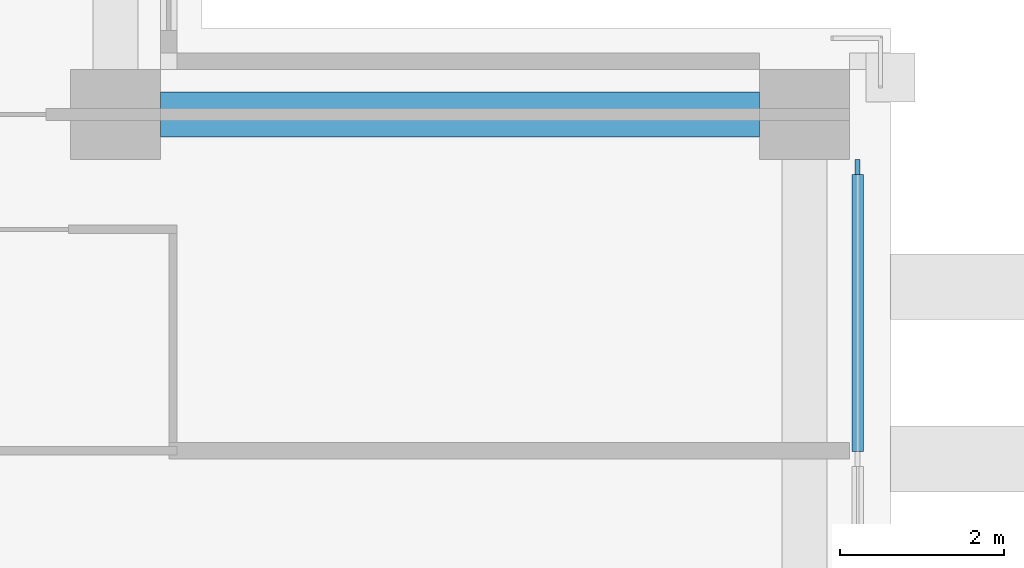
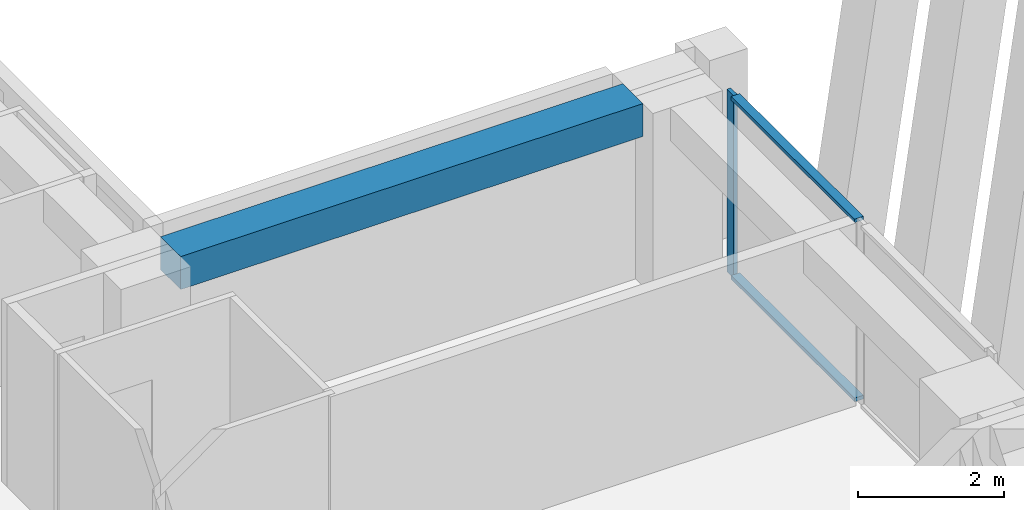
# One storey, part 6 of 15: 3 members, 1 beam, 1 element without a shape of its own.
"""IFC4 building model written with IfcOpenShell, lengths in metres."""

from ifc_helpers import new_model, si_unit, direction, frame, origin, origin_2d, place, context, subcontext, project, spatial, rectangle, extrude, material, material_profile, profile_set, type_object, element, aggregate, save


model = new_model("IFC4")

# Units and contexts
model_context = context("Model", 3, precision=1e-05, world=origin(), true_north=direction((0.0, 1.0)))
body_context = subcontext(model_context, "Body", "Model", "MODEL_VIEW")
ifc_project = project(units=[si_unit("LENGTHUNIT", "METRE"), si_unit("AREAUNIT", "SQUARE_METRE"), si_unit("VOLUMEUNIT", "CUBIC_METRE"), si_unit("PLANEANGLEUNIT", "RADIAN"), si_unit("MASSUNIT", "GRAM", prefix="KILO")], contexts=[model_context])

# Site, building, storey
site_placement = place(None, origin())
site = spatial("IfcSite", under=ifc_project, at=site_placement, CompositionType="ELEMENT")
building_placement = place(site_placement, origin())
building = spatial("IfcBuilding", under=site, at=building_placement, Name="Vermilion Ogive Tower", CompositionType="ELEMENT")
storey_placement = place(building_placement, frame((0.0, 0.0, 153.800048828125)))
storey = spatial("IfcBuildingStorey", under=building, at=storey_placement, Name="L39", CompositionType="ELEMENT", Elevation=153.800048828125)

# Curtain wall, members
ifc_material_1 = material(Name="Low-iron laminated glazing in aluminium frame", Category="aluminium")
curtain_wall_type = type_object("IfcCurtainWallType", Name="Curtain wall CW7", PredefinedType="NOTDEFINED", material=ifc_material_1)
curtain_wall_placement = place(storey_placement, origin())
curtain_wall = element("IfcCurtainWall", 1, at=curtain_wall_placement, inside=storey, type_object=curtain_wall_type, Name="Glazed skin E3", PredefinedType="NOTDEFINED")
ifc_material_2 = material(Name="Aluminium mullion", Category="aluminium")
ifc_material_profile_1 = material_profile(ifc_material_2, rectangle(XDim=0.06005859375, YDim=0.179931640625, at=origin_2d()), Name="AL 60x180")
ifc_profile_set_1 = profile_set([ifc_material_profile_1], Name="Aluminium mullion")
member_type_1 = type_object("IfcMemberType", Name="CW7 mullion 60x180", PredefinedType="MULLION", material=ifc_profile_set_1)
member_1_placement = place(storey_placement, frame((21.64990234375, 11.9599609375, 0.0), z_axis=(0.0, 0.0, 1.0), x_axis=(-1.0, 0.0, 0.0)))
member_1 = element("IfcMember", 2, at=member_1_placement, type_object=member_type_1, Name="CW7-E3 mullion 3", PredefinedType="MULLION", context=body_context, shape_type="SweptSolid", body=[
    extrude(rectangle(XDim=0.06005859375, YDim=0.179931640625, at=origin_2d()), origin(), (0.0, 0.0, 1.0), 3.050048828125),
])
ifc_material_3 = material(Name="Aluminium transom", Category="aluminium")
ifc_material_profile_2 = material_profile(ifc_material_3, rectangle(XDim=0.139892578125, YDim=0.06005859375, at=origin_2d()), Name="AL 60x140")
ifc_profile_set_2 = profile_set([ifc_material_profile_2], Name="Aluminium transom")
member_type_2 = type_object("IfcMemberType", Name="CW7 transom 60x140", PredefinedType="USERDEFINED", material=ifc_profile_set_2)
member_2_placement = place(storey_placement, frame((21.64990234375, 8.489990234375, 0.030029296875), z_axis=(0.0, 1.0, 0.0), x_axis=(-1.0, 0.0, 0.0)))
member_2 = element("IfcMember", 3, at=member_2_placement, type_object=member_type_2, Name="CW7-E3 transom 2.1", ObjectType="TRANSOM", PredefinedType="USERDEFINED", context=body_context, shape_type="SweptSolid", body=[
    extrude(rectangle(XDim=0.139892578125, YDim=0.06005859375, at=origin_2d()), origin(), (0.0, 0.0, 1.0), 3.380126953125),
])
member_3_placement = place(storey_placement, frame((21.64990234375, 8.489990234375, 3.02001953125), z_axis=(0.0, 1.0, 0.0), x_axis=(-1.0, 0.0, 0.0)))
member_3 = element("IfcMember", 4, at=member_3_placement, type_object=member_type_2, Name="CW7-E3 transom 2.2", ObjectType="TRANSOM", PredefinedType="USERDEFINED", context=body_context, shape_type="SweptSolid", body=[
    extrude(rectangle(XDim=0.139892578125, YDim=0.06005859375, at=origin_2d()), origin(), (0.0, 0.0, 1.0), 3.380126953125),
])
aggregate(curtain_wall, [member_1, member_2, member_3])

# Beam
ifc_material_4 = material(Name="Concrete B45", Category="concrete")
ifc_material_profile_3 = material_profile(ifc_material_4, rectangle(XDim=0.550048828125, YDim=0.550048828125, at=origin_2d()), Name="550 x 550")
ifc_profile_set_3 = profile_set([ifc_material_profile_3], Name="Concrete B45")
beam_type = type_object("IfcBeamType", Name="Edge beam 550 x 550 B45", PredefinedType="BEAM", material=ifc_profile_set_3)
beam_placement = place(storey_placement, frame((20.449951171875, 12.60009765625, 2.77490234375), z_axis=(-1.0, 0.0, 0.0), x_axis=(0.0, -1.0, 0.0)))
element("IfcBeam", 5, at=beam_placement, inside=storey, type_object=beam_type, Name="L39-EB-9", PredefinedType="BEAM", context=body_context, shape_type="SweptSolid", body=[
    extrude(rectangle(XDim=0.550048828125, YDim=0.550048828125, at=origin_2d()), origin(), (0.0, 0.0, 1.0), 7.300048828125),
])

save(model, "model.ifc")
